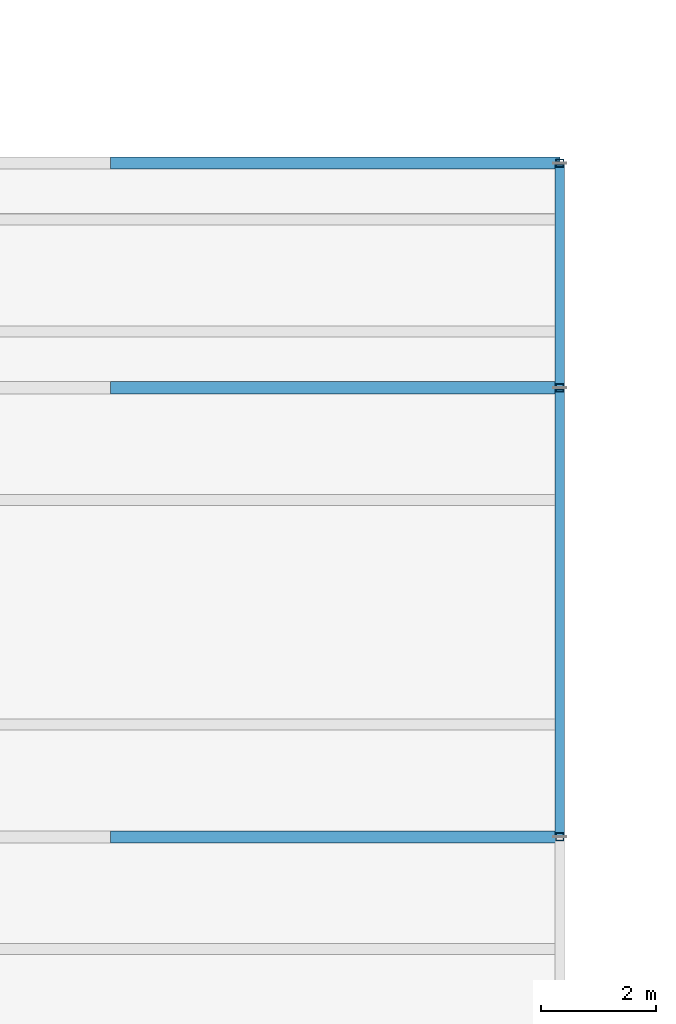
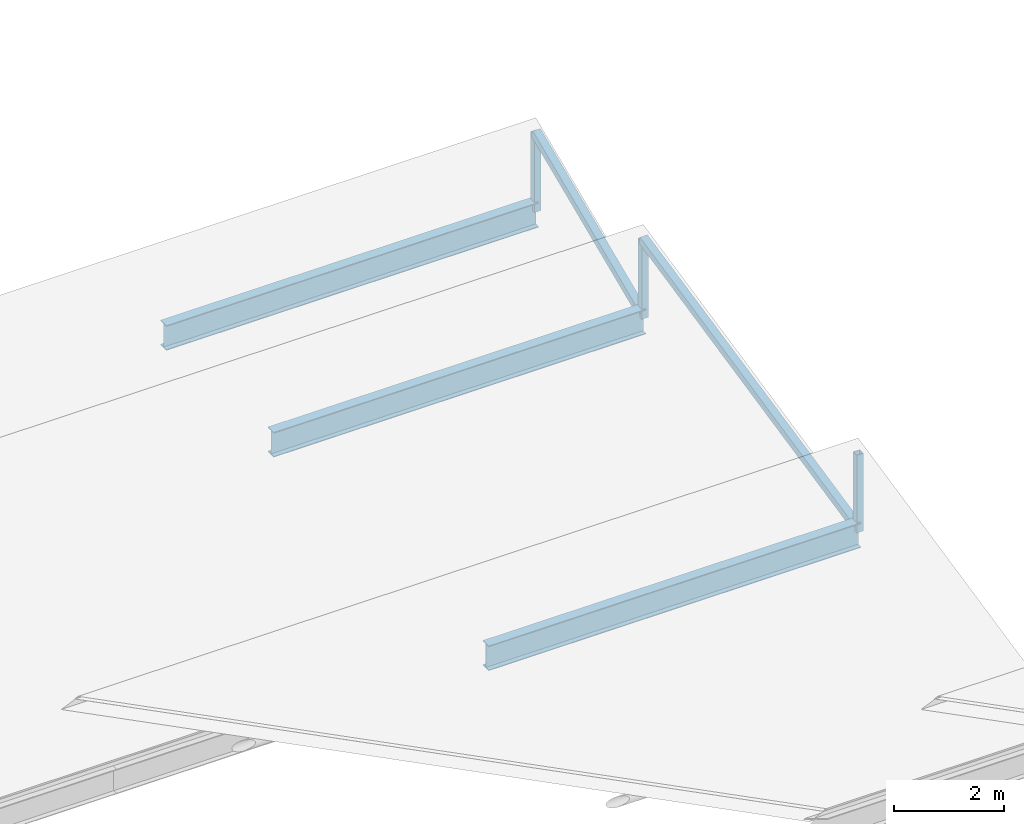
# One storey, part 22 of 89: 5 members, 3 beams.
"""IFC4 building model written with IfcOpenShell, lengths in metres."""

from ifc_helpers import new_model, si_unit, direction, frame, origin, origin_2d, place, context, subcontext, project, spatial, hollow_rectangle, i_section, extrude, material, material_profile, profile_set, type_object, element, save


model = new_model("IFC4")

# Units and contexts
model_context = context("Model", 3, precision=1e-05, world=origin(), true_north=direction((0.0, 1.0)))
body_context = subcontext(model_context, "Body", "Model", "MODEL_VIEW")
ifc_project = project(units=[si_unit("LENGTHUNIT", "METRE"), si_unit("AREAUNIT", "SQUARE_METRE"), si_unit("VOLUMEUNIT", "CUBIC_METRE"), si_unit("PLANEANGLEUNIT", "RADIAN"), si_unit("MASSUNIT", "GRAM", prefix="KILO")], contexts=[model_context])

# Site, building, storey
site_placement = place(None, origin())
site = spatial("IfcSite", under=ifc_project, at=site_placement, CompositionType="ELEMENT")
building_placement = place(site_placement, origin())
building = spatial("IfcBuilding", under=site, at=building_placement, Name="Celorna Specialist Clinic", CompositionType="ELEMENT")
storey_placement = place(building_placement, frame((0.0, 0.0, 14.10009765625)))
storey = spatial("IfcBuildingStorey", under=building, at=storey_placement, Name="L03", CompositionType="ELEMENT", Elevation=14.10009765625)

# Beams
ifc_material = material(Name="Steel S355", Category="steel")
ifc_material_profile_1 = material_profile(ifc_material, i_section(OverallWidth=0.2099609375, OverallDepth=0.550048828125, WebThickness=0.010986328125, FlangeThickness=0.01708984375, at=origin_2d()), Name="IPE 550")
ifc_profile_set_1 = profile_set([ifc_material_profile_1], Name="Steel S355")
beam_type = type_object("IfcBeamType", Name="BM-07", PredefinedType="BEAM", material=ifc_profile_set_1)
for number, where, z_axis, x_axis, name in (
    (1, (31.199951171875, 50.699951171875, -0.300048828125), (1.0, 0.0, 0.0), (0.0, 1.0, 0.0), "Sawtooth valley girder #3"),
    (2, (31.199951171875, 62.39990234375, -0.300048828125), (1.0, 0.0, 0.0), (0.0, 1.0, 0.0), "Sawtooth north eave girder"),
    (3, (31.199951171875, 58.5, -0.300048828125), (1.0, 0.0, 0.0), (0.0, 1.0, 0.0), "Sawtooth valley girder #4"),
):
    element("IfcBeam", number, at=place(storey_placement, frame(where, z_axis=z_axis, x_axis=x_axis)), inside=storey, type_object=beam_type, Name=name, PredefinedType="BEAM", context=body_context, shape_type="SweptSolid", body=[
        extrude(i_section(OverallWidth=0.2099609375, OverallDepth=0.550048828125, WebThickness=0.010986328125, FlangeThickness=0.01708984375, at=origin_2d()), origin(), (0.0, 0.0, 1.0), 7.800048828125),
    ])

# Members
ifc_material_profile_2 = material_profile(ifc_material, hollow_rectangle(XDim=0.159912109375, YDim=0.159912109375, WallThickness=0.010009765625, at=origin_2d()), Name="SHS 160x160x10")
ifc_profile_set_2 = profile_set([ifc_material_profile_2], Name="Steel S355")
member_type_1 = type_object("IfcMemberType", Name="MB-09", PredefinedType="CHORD", material=ifc_profile_set_2)
member_1_placement = place(storey_placement, frame((39.0, 50.699951171875, -0.2021484375), z_axis=(0.0, 0.977835098472, 0.209376503448), x_axis=(-1.0, 0.0, 0.0)))
element("IfcMember", 4, at=member_1_placement, inside=storey, type_object=member_type_1, Name="Pitched roof rafter chord WP-285-WP-286", PredefinedType="CHORD", context=body_context, shape_type="SweptSolid", body=[
    extrude(hollow_rectangle(XDim=0.159912109375, YDim=0.159912109375, WallThickness=0.010009765625, at=origin_2d()), origin(), (0.0, 0.0, 1.0), 7.976806640625),
])
member_2_placement = place(storey_placement, frame((39.0, 58.5, -0.2021484375), z_axis=(0.0, 0.91924917704, 0.393676200083), x_axis=(-1.0, 0.0, 0.0)))
element("IfcMember", 5, at=member_2_placement, inside=storey, type_object=member_type_1, Name="Pitched roof rafter chord WP-297-WP-298", PredefinedType="CHORD", context=body_context, shape_type="SweptSolid", body=[
    extrude(hollow_rectangle(XDim=0.159912109375, YDim=0.159912109375, WallThickness=0.010009765625, at=origin_2d()), origin(), (0.0, 0.0, 1.0), 4.242431640625),
])
ifc_material_profile_3 = material_profile(ifc_material, hollow_rectangle(XDim=0.139892578125, YDim=0.139892578125, WallThickness=0.008056640625, at=origin_2d()), Name="SHS 140x140x8")
ifc_profile_set_3 = profile_set([ifc_material_profile_3], Name="Steel S355")
member_type_2 = type_object("IfcMemberType", Name="MB-10", PredefinedType="CHORD", material=ifc_profile_set_3)
for number, where, z_axis, x_axis, name in (
    (6, (39.0, 50.699951171875, -0.25), (0.0, 0.0, 1.0), (1.0, 0.0, 0.0), "Roof ridge/eave support post ROOF-V2-SAW-2"),
    (7, (39.0, 58.5, -0.25), (0.0, 0.0, 1.0), (1.0, 0.0, 0.0), "Roof ridge/eave support post ROOF-V2-SAW-3"),
    (8, (39.0, 62.39990234375, -0.25), (0.0, 0.0, 1.0), (1.0, 0.0, 0.0), "Roof ridge/eave support post ROOF-V2-SAW-4"),
):
    element("IfcMember", number, at=place(storey_placement, frame(where, z_axis=z_axis, x_axis=x_axis)), inside=storey, type_object=member_type_2, Name=name, PredefinedType="CHORD", context=body_context, shape_type="SweptSolid", body=[
        extrude(hollow_rectangle(XDim=0.139892578125, YDim=0.139892578125, WallThickness=0.008056640625, at=origin_2d()), origin(), (0.0, 0.0, 1.0), 1.718017578125),
    ])

save(model, "model.ifc")
